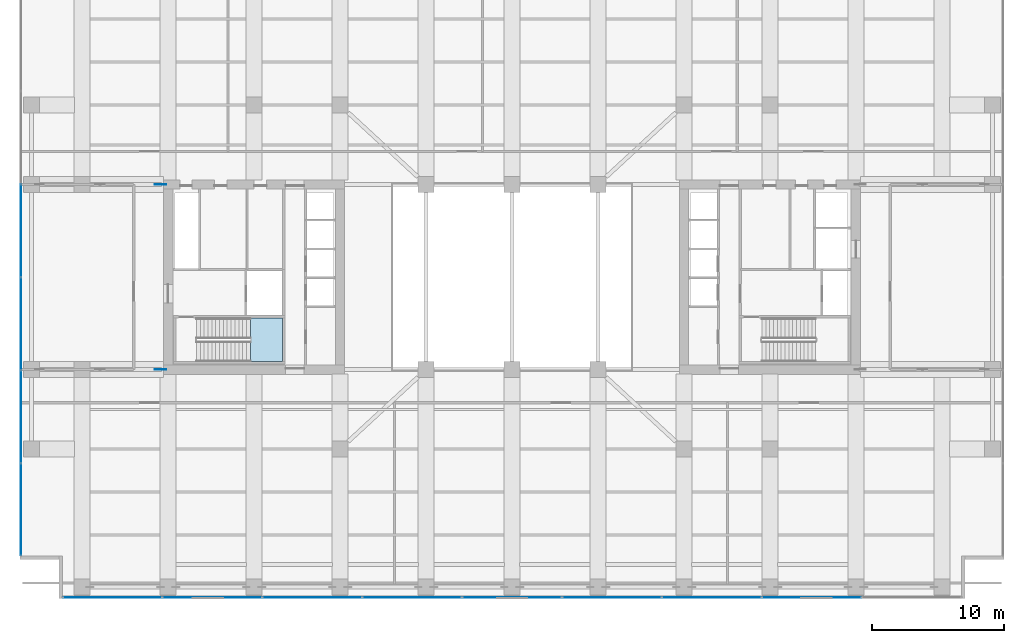
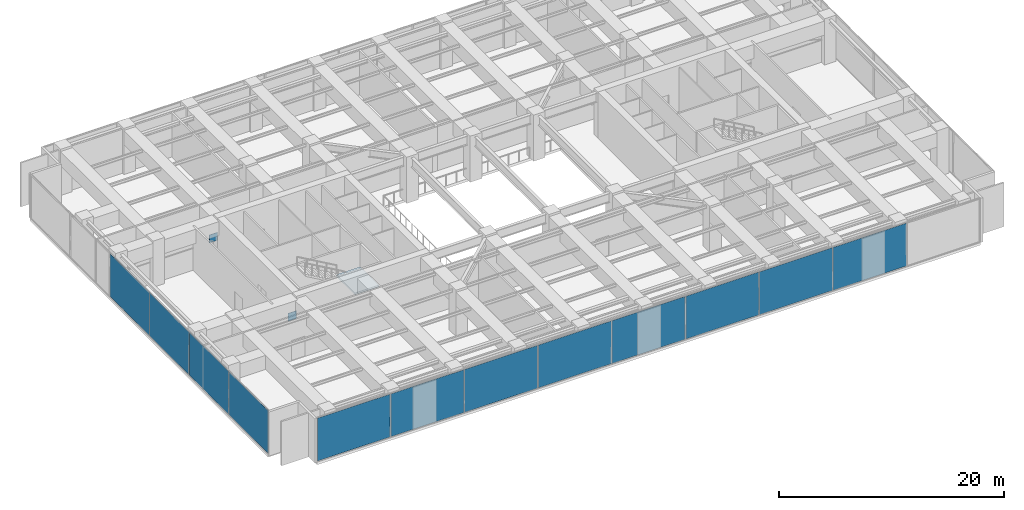
# One storey, part 13 of 28: 14 plates, 1 slab, 3 elements without a shape of their own.
"""IFC4 building model written with IfcOpenShell, lengths in metres."""

from ifc_helpers import new_model, si_unit, direction, frame, origin, origin_2d, place, context, subcontext, project, spatial, polyline, rectangle, outline, extrude, material, layer, layer_set, type_object, element, aggregate, save


model = new_model("IFC4")

# Units and contexts
model_context = context("Model", 3, precision=1e-05, world=origin(), true_north=direction((0.0, 1.0)))
body_context = subcontext(model_context, "Body", "Model", "MODEL_VIEW")
ifc_project = project(units=[si_unit("LENGTHUNIT", "METRE"), si_unit("AREAUNIT", "SQUARE_METRE"), si_unit("VOLUMEUNIT", "CUBIC_METRE"), si_unit("PLANEANGLEUNIT", "RADIAN"), si_unit("MASSUNIT", "GRAM", prefix="KILO")], contexts=[model_context])

# Site, building, storey
site_placement = place(None, origin())
site = spatial("IfcSite", under=ifc_project, at=site_placement, CompositionType="ELEMENT")
building_placement = place(site_placement, origin())
building = spatial("IfcBuilding", under=site, at=building_placement, Name="Putna Gate Headquarters", CompositionType="ELEMENT")
storey_placement = place(building_placement, frame((0.0, 0.0, 139.199951171875)))
storey = spatial("IfcBuildingStorey", under=building, at=storey_placement, Name="L34", CompositionType="ELEMENT", Elevation=139.199951171875)

# Stair, slab
ifc_material_1 = material(Name="Concrete C40/50", Category="concrete")
stair_type = type_object("IfcStairType", Name="STAIR-ST1", PredefinedType="HALF_TURN_STAIR", material=ifc_material_1)
stair_placement = place(storey_placement, origin())
stair = element("IfcStair", 1, at=stair_placement, inside=storey, type_object=stair_type, Name="L34 West Core Exit Stair ST1", PredefinedType="HALF_TURN_STAIR")
ifc_layer_1 = layer(ifc_material_1, 0.199951171875)
ifc_layer_set_1 = layer_set([ifc_layer_1], Name="Concrete C40/50")
slab_type = type_object("IfcSlabType", Name="LANDING-ST1", PredefinedType="LANDING", material=ifc_layer_set_1)
slab_placement = place(storey_placement, frame((0.0, 0.0, 2.300048828125)))
slab = element("IfcSlab", 2, at=slab_placement, type_object=slab_type, Name="ST1 landing 1", PredefinedType="LANDING", context=body_context, shape_type="SweptSolid", body=[
    extrude(outline(polyline([(19.2099609375, 19.60009765625), (21.64990234375, 19.60009765625), (21.64990234375, 22.89990234375), (19.2099609375, 22.89990234375), (19.2099609375, 19.60009765625)])), origin(), (0.0, 0.0, 1.0), 0.199951171875),
])
aggregate(stair, [slab])

# Curtain wall, plates
ifc_material_2 = material(Name="Anodised bronze aluminium curtain wall", Category="aluminium")
ifc_layer_2 = layer(ifc_material_2, 0.159912109375)
ifc_layer_set_2 = layer_set([ifc_layer_2], Name="Anodised bronze aluminium curtain wall")
curtain_wall_type = type_object("IfcCurtainWallType", Name="CW-SYS-CRN", PredefinedType="USERDEFINED", material=ifc_layer_set_2)
curtain_wall_1_placement = place(storey_placement, origin())
curtain_wall_1 = element("IfcCurtainWall", 3, at=curtain_wall_1_placement, inside=storey, type_object=curtain_wall_type, Name="L34 Acoustic Louvre South Enclosure", ObjectType="STICK CURTAIN WALL", PredefinedType="USERDEFINED")
ifc_material_3 = material(Name="Anodised bronze acoustic louvre panel", Category="aluminium")
ifc_layer_3 = layer(ifc_material_3, 0.044921875)
ifc_layer_set_3 = layer_set([ifc_layer_3], Name="Anodised bronze acoustic louvre panel")
plate_type_1 = type_object("IfcPlateType", Name="PAN-CWP-CR", PredefinedType="CURTAIN_PANEL", material=ifc_layer_set_3)
plate_1_placement = place(storey_placement, frame((8.7939453125, 1.780029296875, 0.06494140625), z_axis=(0.0, 0.0, 1.0), x_axis=(1.0, 0.0, 0.0)))
plate_1 = element("IfcPlate", 4, at=plate_1_placement, type_object=plate_type_1, Name="CWS-CR panel 1.1", PredefinedType="CURTAIN_PANEL", context=body_context, shape_type="SweptSolid", body=[
    extrude(rectangle(XDim=7.4580078125, YDim=0.044921875, at=origin_2d()), origin(), (0.0, 0.0, 1.0), 4.64208984375),
])
plate_2_placement = place(storey_placement, frame((16.333251953125, 1.780029296875, 0.06494140625), z_axis=(0.0, 0.0, 1.0), x_axis=(1.0, 0.0, 0.0)))
plate_2 = element("IfcPlate", 5, at=plate_2_placement, type_object=plate_type_1, Name="CWS-CR panel 2.1", PredefinedType="CURTAIN_PANEL", context=body_context, shape_type="SweptSolid", body=[
    extrude(rectangle(XDim=7.490478515625, YDim=0.044921875, at=origin_2d()), origin(), (0.0, 0.0, 1.0), 4.64208984375),
])
plate_3_placement = place(storey_placement, frame((23.888916015625, 1.780029296875, 0.06494140625), z_axis=(0.0, 0.0, 1.0), x_axis=(1.0, 0.0, 0.0)))
plate_3 = element("IfcPlate", 6, at=plate_3_placement, type_object=plate_type_1, Name="CWS-CR panel 3.1", PredefinedType="CURTAIN_PANEL", context=body_context, shape_type="SweptSolid", body=[
    extrude(rectangle(XDim=7.490478515625, YDim=0.044921875, at=origin_2d()), origin(), (0.0, 0.0, 1.0), 4.64208984375),
])
plate_4_placement = place(storey_placement, frame((31.4443359375, 1.780029296875, 0.06494140625), z_axis=(0.0, 0.0, 1.0), x_axis=(1.0, 0.0, 0.0)))
plate_4 = element("IfcPlate", 7, at=plate_4_placement, type_object=plate_type_1, Name="CWS-CR panel 4.1", PredefinedType="CURTAIN_PANEL", context=body_context, shape_type="SweptSolid", body=[
    extrude(rectangle(XDim=7.490478515625, YDim=0.044921875, at=origin_2d()), origin(), (0.0, 0.0, 1.0), 4.64208984375),
])
plate_5_placement = place(storey_placement, frame((39.0, 1.780029296875, 0.06494140625), z_axis=(0.0, 0.0, 1.0), x_axis=(1.0, 0.0, 0.0)))
plate_5 = element("IfcPlate", 8, at=plate_5_placement, type_object=plate_type_1, Name="CWS-CR panel 5.1", PredefinedType="CURTAIN_PANEL", context=body_context, shape_type="SweptSolid", body=[
    extrude(rectangle(XDim=7.490478515625, YDim=0.044921875, at=origin_2d()), origin(), (0.0, 0.0, 1.0), 4.64208984375),
])
plate_6_placement = place(storey_placement, frame((46.5556640625, 1.780029296875, 0.06494140625), z_axis=(0.0, 0.0, 1.0), x_axis=(1.0, 0.0, 0.0)))
plate_6 = element("IfcPlate", 9, at=plate_6_placement, type_object=plate_type_1, Name="CWS-CR panel 6.1", PredefinedType="CURTAIN_PANEL", context=body_context, shape_type="SweptSolid", body=[
    extrude(rectangle(XDim=7.490478515625, YDim=0.044921875, at=origin_2d()), origin(), (0.0, 0.0, 1.0), 4.64208984375),
])
plate_7_placement = place(storey_placement, frame((54.111083984375, 1.780029296875, 0.06494140625), z_axis=(0.0, 0.0, 1.0), x_axis=(1.0, 0.0, 0.0)))
plate_7 = element("IfcPlate", 10, at=plate_7_placement, type_object=plate_type_1, Name="CWS-CR panel 7.1", PredefinedType="CURTAIN_PANEL", context=body_context, shape_type="SweptSolid", body=[
    extrude(rectangle(XDim=7.490478515625, YDim=0.044921875, at=origin_2d()), origin(), (0.0, 0.0, 1.0), 4.64208984375),
])
plate_8_placement = place(storey_placement, frame((61.666748046875, 1.780029296875, 0.06494140625), z_axis=(0.0, 0.0, 1.0), x_axis=(1.0, 0.0, 0.0)))
plate_8 = element("IfcPlate", 11, at=plate_8_placement, type_object=plate_type_1, Name="CWS-CR panel 8.1", PredefinedType="CURTAIN_PANEL", context=body_context, shape_type="SweptSolid", body=[
    extrude(rectangle(XDim=7.490478515625, YDim=0.044921875, at=origin_2d()), origin(), (0.0, 0.0, 1.0), 4.64208984375),
])
aggregate(curtain_wall_1, [plate_1, plate_2, plate_3, plate_4, plate_5, plate_6, plate_7, plate_8])

curtain_wall_2_placement = place(storey_placement, origin())
curtain_wall_2 = element("IfcCurtainWall", 12, at=curtain_wall_2_placement, inside=storey, type_object=curtain_wall_type, Name="L34 Acoustic Louvre West Enclosure", ObjectType="STICK CURTAIN WALL", PredefinedType="USERDEFINED")
plate_9_placement = place(storey_placement, frame((1.8798828125, 8.432861328125, 0.06494140625), z_axis=(0.0, 0.0, 1.0), x_axis=(0.0, 1.0, 0.0)))
plate_9 = element("IfcPlate", 13, at=plate_9_placement, type_object=plate_type_1, Name="CWS-CR panel 1.1", PredefinedType="CURTAIN_PANEL", context=body_context, shape_type="SweptSolid", body=[
    extrude(rectangle(XDim=6.935791015625, YDim=0.044921875, at=origin_2d()), origin(), (0.0, 0.0, 1.0), 4.64208984375),
])
plate_10_placement = place(storey_placement, frame((1.8798828125, 15.449951171875, 0.06494140625), z_axis=(0.0, 0.0, 1.0), x_axis=(0.0, 1.0, 0.0)))
plate_10 = element("IfcPlate", 14, at=plate_10_placement, type_object=plate_type_1, Name="CWS-CR panel 2.1", PredefinedType="CURTAIN_PANEL", context=body_context, shape_type="SweptSolid", body=[
    extrude(rectangle(XDim=6.96826171875, YDim=0.044921875, at=origin_2d()), origin(), (0.0, 0.0, 1.0), 4.64208984375),
])
plate_11_placement = place(storey_placement, frame((1.8798828125, 22.4833984375, 0.06494140625), z_axis=(0.0, 0.0, 1.0), x_axis=(0.0, 1.0, 0.0)))
plate_11 = element("IfcPlate", 15, at=plate_11_placement, type_object=plate_type_1, Name="CWS-CR panel 3.1", PredefinedType="CURTAIN_PANEL", context=body_context, shape_type="SweptSolid", body=[
    extrude(rectangle(XDim=6.96826171875, YDim=0.044921875, at=origin_2d()), origin(), (0.0, 0.0, 1.0), 4.64208984375),
])
plate_12_placement = place(storey_placement, frame((1.8798828125, 29.5166015625, 0.06494140625), z_axis=(0.0, 0.0, 1.0), x_axis=(0.0, 1.0, 0.0)))
plate_12 = element("IfcPlate", 16, at=plate_12_placement, type_object=plate_type_1, Name="CWS-CR panel 4.1", PredefinedType="CURTAIN_PANEL", context=body_context, shape_type="SweptSolid", body=[
    extrude(rectangle(XDim=6.96826171875, YDim=0.044921875, at=origin_2d()), origin(), (0.0, 0.0, 1.0), 4.64208984375),
])
aggregate(curtain_wall_2, [plate_9, plate_10, plate_11, plate_12])

# Plates
ifc_material_4 = material(Name="Steel S460M", Category="steel")
ifc_layer_4 = layer(ifc_material_4, 0.0400390625)
ifc_layer_set_4 = layer_set([ifc_layer_4], Name="Steel S460M")
plate_type_2 = type_object("IfcPlateType", Name="PLT-NODE-ON1", PredefinedType="SHEET", material=ifc_layer_set_4)
for number, where, z_axis, x_axis, name in (
    (17, (12.429931640625, 19.0, 2.324951171875), (0.0, 0.0, 1.0), (1.0, 0.0, 0.0), "L34 Outrigger Node Plate ON1 WS"),
    (18, (12.429931640625, 33.0, 2.324951171875), (0.0, 0.0, 1.0), (1.0, 0.0, 0.0), "L34 Outrigger Node Plate ON1 WN"),
):
    element("IfcPlate", number, at=place(storey_placement, frame(where, z_axis=z_axis, x_axis=x_axis)), inside=storey, type_object=plate_type_2, Name=name, PredefinedType="SHEET", context=body_context, shape_type="SweptSolid", body=[
        extrude(rectangle(XDim=0.85009765625, YDim=0.0400390625, at=origin_2d()), origin(), (0.0, 0.0, 1.0), 0.85009765625),
    ])

save(model, "model.ifc")
